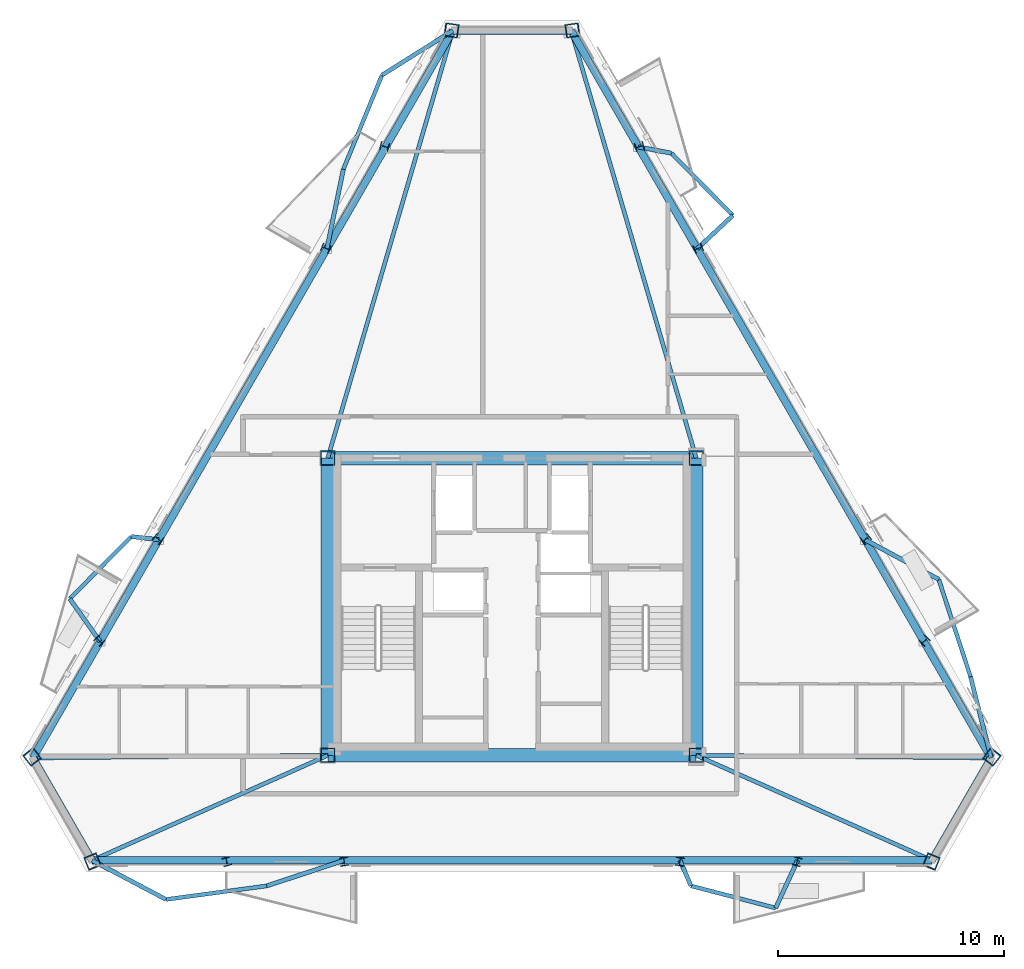
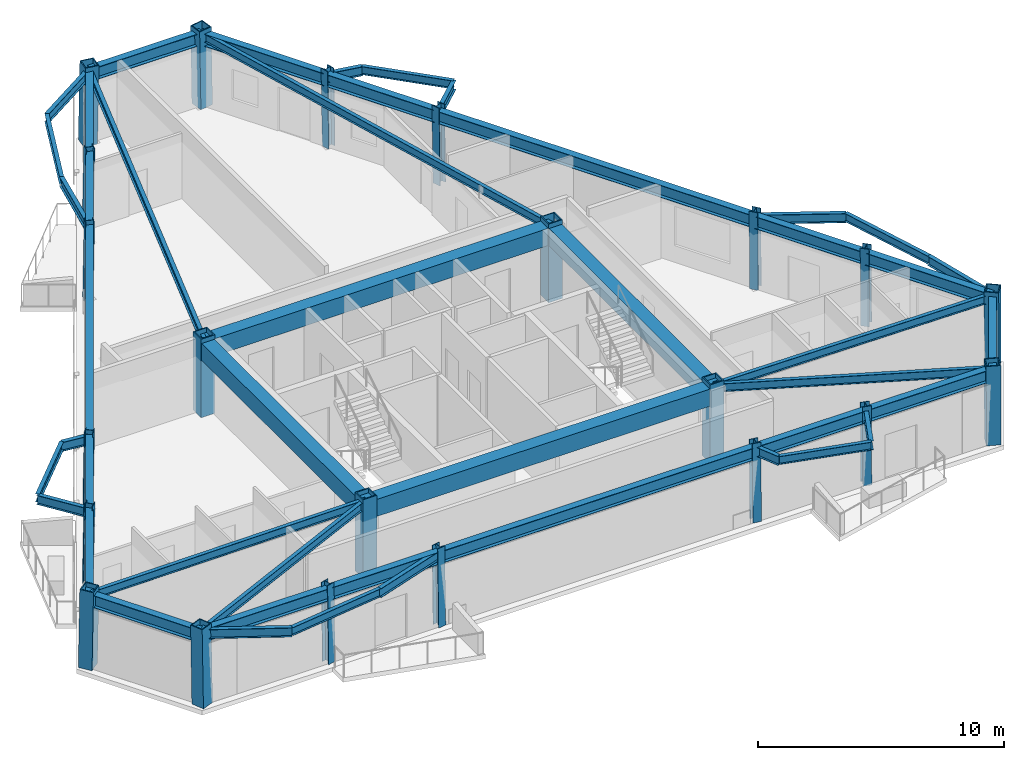
# One storey, part 1 of 9: 46 beams, 22 columns.
"""IFC4 building model written with IfcOpenShell, lengths in metres."""

from ifc_helpers import new_model, si_unit, direction, frame, origin, origin_2d, place, context, subcontext, project, spatial, rectangle, hollow_rectangle, i_section, extrude, material, material_profile, profile_set, type_object, element, save


model = new_model("IFC4")

# Units and contexts
model_context = context("Model", 3, precision=1e-05, world=origin(), true_north=direction((0.0, 1.0)))
body_context = subcontext(model_context, "Body", "Model", "MODEL_VIEW")
ifc_project = project(units=[si_unit("LENGTHUNIT", "METRE"), si_unit("AREAUNIT", "SQUARE_METRE"), si_unit("VOLUMEUNIT", "CUBIC_METRE"), si_unit("PLANEANGLEUNIT", "RADIAN"), si_unit("MASSUNIT", "GRAM", prefix="KILO")], contexts=[model_context])

# Site, building, storey
site_placement = place(None, origin())
site = spatial("IfcSite", under=ifc_project, at=site_placement, CompositionType="ELEMENT")
building_placement = place(site_placement, origin())
building = spatial("IfcBuilding", under=site, at=building_placement, Name="Oramaril Tower", CompositionType="ELEMENT")
storey_placement = place(building_placement, frame((0.0, 0.0, 253.800048828125)))
storey = spatial("IfcBuildingStorey", under=building, at=storey_placement, Name="L67", CompositionType="ELEMENT", Elevation=253.800048828125)

# Columns
ifc_material_1 = material(Name="Steel ASTM A572 Gr 50", Category="steel")
ifc_material_profile_1 = material_profile(ifc_material_1, hollow_rectangle(XDim=0.64990234375, YDim=0.64990234375, WallThickness=0.050048828125, at=origin_2d()), Name="BOX650X650X50")
ifc_profile_set_1 = profile_set([ifc_material_profile_1], Name="Steel ASTM A572 Gr 50")
column_type_1 = type_object("IfcColumnType", Name="CT-CC5", PredefinedType="COLUMN", material=ifc_profile_set_1)
for number, where, z_axis, x_axis, name in (
    (1, (29.35009765625, 11.0, 0.0), (0.0, 0.0, 1.0), (1.0, 0.0, 0.0), "L67 Core Column CC-1"),
    (2, (45.64990234375, 11.0, 0.0), (0.0, 0.0, 1.0), (1.0, 0.0, 0.0), "L67 Core Column CC-2"),
    (3, (45.64990234375, 24.14990234375, 0.0), (0.0, 0.0, 1.0), (1.0, 0.0, 0.0), "L67 Core Column CC-3"),
    (4, (29.35009765625, 24.14990234375, 0.0), (0.0, 0.0, 1.0), (1.0, 0.0, 0.0), "L67 Core Column CC-4"),
):
    element("IfcColumn", number, at=place(storey_placement, frame(where, z_axis=z_axis, x_axis=x_axis)), inside=storey, type_object=column_type_1, Name=name, PredefinedType="COLUMN", context=body_context, shape_type="SweptSolid", body=[
        extrude(hollow_rectangle(XDim=0.64990234375, YDim=0.64990234375, WallThickness=0.050048828125, at=origin_2d()), origin(), (0.0, 0.0, 1.0), 3.89990234375),
    ])
ifc_material_2 = material(Name="Steel ASTM A572 Gr 50", Category="steel")
ifc_material_profile_2 = material_profile(ifc_material_2, hollow_rectangle(XDim=0.60009765625, YDim=0.60009765625, WallThickness=0.044921875, at=origin_2d()), Name="BOX600X600X45")
ifc_profile_set_2 = profile_set([ifc_material_profile_2], Name="Steel ASTM A572 Gr 50")
column_type_2 = type_object("IfcColumnType", Name="CT-TC5", PredefinedType="COLUMN", material=ifc_profile_set_2)
for number, where, z_axis, x_axis, name in (
    (5, (16.2666015625, 10.93798828125, 0.00439453125), (0.010476592059, -0.013362359932, 0.999855833786), (0.786958941949, 0.617005367632, 0.0), "L67 Tube Column TC-01"),
    (6, (18.948974609375, 6.292236328125, 0.00439453125), (-0.006336143201, 0.015746256866, 0.999855943966), (-0.9277100215, -0.373301642118, 0.0), "L67 Tube Column TC-02"),
    (7, (56.051025390625, 6.292236328125, 0.00439453125), (0.006336143201, 0.015746256866, 0.999855943966), (-0.9277100215, 0.373301642118, 0.0), "L67 Tube Column TC-03"),
    (8, (58.7333984375, 10.93798828125, 0.00439453125), (-0.010476592059, -0.013362359932, 0.999855833786), (0.786958941949, -0.617005367632, 0.0), "L67 Tube Column TC-04"),
    (9, (40.18212890625, 43.069580078125, 0.00439453125), (-0.016812734232, -0.002383895152, 0.999855814111), (0.140386849611, -0.990096728838, 0.0), "L67 Tube Column TC-05"),
    (10, (34.81787109375, 43.069580078125, 0.00439453125), (0.016812734232, -0.002383895152, 0.999855814111), (0.140386849611, 0.990096728838, 0.0), "L67 Tube Column TC-06"),
):
    element("IfcColumn", number, at=place(storey_placement, frame(where, z_axis=z_axis, x_axis=x_axis)), inside=storey, type_object=column_type_2, Name=name, PredefinedType="COLUMN", context=body_context, shape_type="SweptSolid", body=[
        extrude(hollow_rectangle(XDim=0.60009765625, YDim=0.60009765625, WallThickness=0.044921875, at=origin_2d()), origin(), (0.0, 0.0, 1.0), 3.8916015625),
    ])
ifc_material_3 = material(Name="Steel ASTM A572 Gr 50", Category="steel")
ifc_material_profile_3 = material_profile(ifc_material_3, i_section(OverallWidth=0.373046875, OverallDepth=0.373046875, WebThickness=0.016357421875, FlangeThickness=0.026123046875, at=origin_2d()), Name="W14X132")
ifc_profile_set_3 = profile_set([ifc_material_profile_3], Name="Steel ASTM A572 Gr 50")
column_type_3 = type_object("IfcColumnType", Name="CT-TF5", PredefinedType="COLUMN", material=ifc_profile_set_3)
for number, where, z_axis, x_axis, name in (
    (11, (24.88525390625, 6.292236328125, 0.00439453125), (-0.004328698624, 0.015746425429, 0.999866647336), (-0.964229942469, -0.26506719534, 0.0), "L67 Tube Column TC-07"),
    (12, (30.07958984375, 6.292236328125, 0.00439453125), (-0.002572140859, 0.015746520867, 0.999872707484), (-0.98692011678, -0.161210058916, 0.0), "L67 Tube Column TC-08"),
    (13, (44.92041015625, 6.292236328125, 0.00439453125), (0.002572140859, 0.015746520867, 0.999872707484), (-0.98692011678, 0.161210058916, 0.0), "L67 Tube Column TC-09"),
    (14, (50.11474609375, 6.292236328125, 0.00439453125), (0.004328698624, 0.015746425429, 0.999866647336), (-0.964229942469, 0.26506719534, 0.0), "L67 Tube Column TC-10"),
    (15, (55.76513671875, 16.0791015625, 0.00439453125), (-0.011480462652, -0.011605932189, 0.999866741779), (0.710939253444, -0.703253423677, 0.0), "L67 Tube Column TC-11"),
    (16, (53.16796875, 20.57763671875, 0.00439453125), (-0.012358821983, -0.010100357052, 0.99987261304), (0.632809619736, -0.774307422907, 0.0), "L67 Tube Column TC-12"),
    (17, (45.74755859375, 33.43017578125, 0.00439453125), (-0.01493095687, -0.005708895274, 0.999872229358), (0.357137466267, -0.934051834851, 0.0), "L67 Tube Column TC-13"),
    (18, (43.150390625, 37.9287109375, 0.00439453125), (-0.015809153005, -0.004203227188, 0.999866192829), (0.256946496792, -0.966425629724, 0.0), "L67 Tube Column TC-14"),
    (19, (31.849609375, 37.9287109375, 0.00439453125), (0.015809153005, -0.004203227188, 0.999866192829), (0.256946496792, 0.966425629724, 0.0), "L67 Tube Column TC-15"),
    (20, (29.25244140625, 33.43017578125, 0.00439453125), (0.01493095687, -0.005708895274, 0.999872229358), (0.357137466267, 0.934051834851, 0.0), "L67 Tube Column TC-16"),
    (21, (21.83203125, 20.57763671875, 0.00439453125), (0.012358821983, -0.010100357052, 0.99987261304), (0.632809619736, 0.774307422907, 0.0), "L67 Tube Column TC-17"),
    (22, (19.23486328125, 16.0791015625, 0.00439453125), (0.011480462652, -0.011605932189, 0.999866741779), (0.710939253444, 0.703253423677, 0.0), "L67 Tube Column TC-18"),
):
    element("IfcColumn", number, at=place(storey_placement, frame(where, z_axis=z_axis, x_axis=x_axis)), inside=storey, type_object=column_type_3, Name=name, PredefinedType="COLUMN", context=body_context, shape_type="SweptSolid", body=[
        extrude(i_section(OverallWidth=0.373046875, OverallDepth=0.373046875, WebThickness=0.016357421875, FlangeThickness=0.026123046875, at=origin_2d()), origin(), (0.0, 0.0, 1.0), 3.8916015625),
    ])

# Beams
ifc_material_4 = material(Name="Steel ASTM A572 Gr 50", Category="steel")
ifc_material_profile_4 = material_profile(ifc_material_4, i_section(OverallWidth=0.19091796875, OverallDepth=0.45703125, WebThickness=0.009033203125, FlangeThickness=0.014404296875, at=origin_2d()), Name="W18X50")
ifc_profile_set_4 = profile_set([ifc_material_profile_4], Name="Steel ASTM A572 Gr 50")
beam_type_1 = type_object("IfcBeamType", Name="BT-BB1", PredefinedType="BEAM", material=ifc_profile_set_4)
beam_1_placement = place(storey_placement, frame((18.92431640625, 6.353515625, 3.451416015625), z_axis=(0.884062224735, -0.467369214644, 0.0), x_axis=(0.467369214644, 0.884062224735, 0.0)))
element("IfcBeam", 23, at=beam_1_placement, inside=storey, type_object=beam_type_1, Name="L67 Balcony Column-Framed Cantilever 01.1", PredefinedType="BEAM", context=body_context, shape_type="SweptSolid", body=[
    extrude(i_section(OverallWidth=0.19091796875, OverallDepth=0.45703125, WebThickness=0.009033203125, FlangeThickness=0.014404296875, at=origin_2d()), origin(), (0.0, 0.0, 1.0), 3.699951171875),
])
beam_2_placement = place(storey_placement, frame((30.069580078125, 6.353515625, 3.451416015625), z_axis=(-0.949515220138, -0.313720969537, 0.0), x_axis=(0.313720969537, -0.949515220138, 0.0)))
element("IfcBeam", 24, at=beam_2_placement, inside=storey, type_object=beam_type_1, Name="L67 Balcony Column-Framed Cantilever 01.2", PredefinedType="BEAM", context=body_context, shape_type="SweptSolid", body=[
    extrude(i_section(OverallWidth=0.19091796875, OverallDepth=0.45703125, WebThickness=0.009033203125, FlangeThickness=0.014404296875, at=origin_2d()), origin(), (0.0, 0.0, 1.0), 3.59521484375),
])
beam_3_placement = place(storey_placement, frame((44.930419921875, 6.353515625, 3.451416015625), z_axis=(0.397607437634, -0.91755562531, 0.0), x_axis=(0.91755562531, 0.397607437634, 0.0)))
element("IfcBeam", 25, at=beam_3_placement, inside=storey, type_object=beam_type_1, Name="L67 Balcony Column-Framed Cantilever 02.1", PredefinedType="BEAM", context=body_context, shape_type="SweptSolid", body=[
    extrude(i_section(OverallWidth=0.19091796875, OverallDepth=0.45703125, WebThickness=0.009033203125, FlangeThickness=0.014404296875, at=origin_2d()), origin(), (0.0, 0.0, 1.0), 1.229248046875),
])
beam_4_placement = place(storey_placement, frame((50.131591796875, 6.353515625, 3.451416015625), z_axis=(-0.417415615447, -0.908715689301, 0.0), x_axis=(0.908715689301, -0.417415615447, 0.0)))
element("IfcBeam", 26, at=beam_4_placement, inside=storey, type_object=beam_type_1, Name="L67 Balcony Column-Framed Cantilever 02.2", PredefinedType="BEAM", context=body_context, shape_type="SweptSolid", body=[
    extrude(i_section(OverallWidth=0.19091796875, OverallDepth=0.45703125, WebThickness=0.009033203125, FlangeThickness=0.014404296875, at=origin_2d()), origin(), (0.0, 0.0, 1.0), 2.319580078125),
])
for number, where, z_axis, x_axis, name in (
    (27, (58.692626953125, 10.885986328125, 3.451416015625), (-0.245329243552, 0.969439818791, 0.0), (-0.969439818791, -0.245329243552, 0.0), "L67 Balcony Column-Framed Cantilever 03.1"),
    (28, (53.119873046875, 20.538330078125, 3.451416015625), (0.88043507816, -0.474166714506, 0.0), (0.474166714506, 0.88043507816, 0.0), "L67 Balcony Column-Framed Cantilever 03.2"),
):
    element("IfcBeam", number, at=place(storey_placement, frame(where, z_axis=z_axis, x_axis=x_axis)), inside=storey, type_object=beam_type_1, Name=name, PredefinedType="BEAM", context=body_context, shape_type="SweptSolid", body=[
        extrude(i_section(OverallWidth=0.19091796875, OverallDepth=0.45703125, WebThickness=0.009033203125, FlangeThickness=0.014404296875, at=origin_2d()), origin(), (0.0, 0.0, 1.0), 3.699951171875),
    ])
beam_5_placement = place(storey_placement, frame((45.689453125, 33.407958984375, 3.451416015625), z_axis=(0.730619919828, 0.682784396973, 0.0), x_axis=(-0.682784396973, 0.730619919828, 0.0)))
element("IfcBeam", 29, at=beam_5_placement, inside=storey, type_object=beam_type_1, Name="L67 Balcony Column-Framed Cantilever 04.1", PredefinedType="BEAM", context=body_context, shape_type="SweptSolid", body=[
    extrude(i_section(OverallWidth=0.19091796875, OverallDepth=0.45703125, WebThickness=0.009033203125, FlangeThickness=0.014404296875, at=origin_2d()), origin(), (0.0, 0.0, 1.0), 2.1640625),
])
beam_6_placement = place(storey_placement, frame((43.0888671875, 37.912353515625, 3.451416015625), z_axis=(0.982812637417, -0.184605849675, 0.0), x_axis=(0.184605849675, 0.982812637417, 0.0)))
element("IfcBeam", 30, at=beam_6_placement, inside=storey, type_object=beam_type_1, Name="L67 Balcony Column-Framed Cantilever 04.2", PredefinedType="BEAM", context=body_context, shape_type="SweptSolid", body=[
    extrude(i_section(OverallWidth=0.19091796875, OverallDepth=0.45703125, WebThickness=0.009033203125, FlangeThickness=0.014404296875, at=origin_2d()), origin(), (0.0, 0.0, 1.0), 1.486572265625),
])
beam_7_placement = place(storey_placement, frame((34.88330078125, 43.060302734375, 3.451416015625), z_axis=(-0.846817420865, -0.53188368627, 0.0), x_axis=(0.53188368627, -0.846817420865, 0.0)))
element("IfcBeam", 31, at=beam_7_placement, inside=storey, type_object=beam_type_1, Name="L67 Balcony Column-Framed Cantilever 05.1", PredefinedType="BEAM", context=body_context, shape_type="SweptSolid", body=[
    extrude(i_section(OverallWidth=0.19091796875, OverallDepth=0.45703125, WebThickness=0.009033203125, FlangeThickness=0.014404296875, at=origin_2d()), origin(), (0.0, 0.0, 1.0), 3.7001953125),
])
beam_8_placement = place(storey_placement, frame((29.310546875, 33.407958984375, 3.451416015625), z_axis=(0.203018710652, 0.979174858299, 0.0), x_axis=(-0.979174858299, 0.203018710652, 0.0)))
element("IfcBeam", 32, at=beam_8_placement, inside=storey, type_object=beam_type_1, Name="L67 Balcony Column-Framed Cantilever 05.2", PredefinedType="BEAM", context=body_context, shape_type="SweptSolid", body=[
    extrude(i_section(OverallWidth=0.19091796875, OverallDepth=0.45703125, WebThickness=0.009033203125, FlangeThickness=0.014404296875, at=origin_2d()), origin(), (0.0, 0.0, 1.0), 3.595703125),
])
beam_9_placement = place(storey_placement, frame((21.880126953125, 20.538330078125, 3.451416015625), z_axis=(-0.993460146416, 0.114179409192, 0.0), x_axis=(-0.114179409192, -0.993460146416, 0.0)))
element("IfcBeam", 33, at=beam_9_placement, inside=storey, type_object=beam_type_1, Name="L67 Balcony Column-Framed Cantilever 06.1", PredefinedType="BEAM", context=body_context, shape_type="SweptSolid", body=[
    extrude(i_section(OverallWidth=0.19091796875, OverallDepth=0.45703125, WebThickness=0.009033203125, FlangeThickness=0.014404296875, at=origin_2d()), origin(), (0.0, 0.0, 1.0), 1.2294921875),
])
beam_10_placement = place(storey_placement, frame((19.279541015625, 16.033935546875, 3.451416015625), z_axis=(-0.578297624091, 0.815825874786, 0.0), x_axis=(-0.815825874786, -0.578297624091, 0.0)))
element("IfcBeam", 34, at=beam_10_placement, inside=storey, type_object=beam_type_1, Name="L67 Balcony Column-Framed Cantilever 06.2", PredefinedType="BEAM", context=body_context, shape_type="SweptSolid", body=[
    extrude(i_section(OverallWidth=0.19091796875, OverallDepth=0.45703125, WebThickness=0.009033203125, FlangeThickness=0.014404296875, at=origin_2d()), origin(), (0.0, 0.0, 1.0), 2.31982421875),
])
ifc_material_5 = material(Name="Concrete C50/60", Category="concrete")
ifc_material_profile_5 = material_profile(ifc_material_5, rectangle(XDim=0.60009765625, YDim=0.85009765625, at=origin_2d()), Name="CB600X850")
ifc_profile_set_5 = profile_set([ifc_material_profile_5], Name="Concrete C50/60")
beam_type_2 = type_object("IfcBeamType", Name="BT-CB2", PredefinedType="BEAM", material=ifc_profile_set_5)
beam_11_placement = place(storey_placement, frame((29.35009765625, 11.0, 3.2548828125), z_axis=(1.0, 0.0, 0.0), x_axis=(0.0, 1.0, 0.0)))
element("IfcBeam", 35, at=beam_11_placement, inside=storey, type_object=beam_type_2, Name="L67 Core Header Beam CB-1", PredefinedType="BEAM", context=body_context, shape_type="SweptSolid", body=[
    extrude(rectangle(XDim=0.60009765625, YDim=0.85009765625, at=origin_2d()), origin(), (0.0, 0.0, 1.0), 16.2998046875),
])
beam_12_placement = place(storey_placement, frame((45.64990234375, 11.0, 3.2548828125), z_axis=(0.0, 1.0, 0.0), x_axis=(-1.0, 0.0, 0.0)))
element("IfcBeam", 36, at=beam_12_placement, inside=storey, type_object=beam_type_2, Name="L67 Core Header Beam CB-2", PredefinedType="BEAM", context=body_context, shape_type="SweptSolid", body=[
    extrude(rectangle(XDim=0.60009765625, YDim=0.85009765625, at=origin_2d()), origin(), (0.0, 0.0, 1.0), 13.14990234375),
])
beam_13_placement = place(storey_placement, frame((45.64990234375, 24.14990234375, 3.2548828125), z_axis=(-1.0, 0.0, 0.0), x_axis=(0.0, -1.0, 0.0)))
element("IfcBeam", 37, at=beam_13_placement, inside=storey, type_object=beam_type_2, Name="L67 Core Header Beam CB-3", PredefinedType="BEAM", context=body_context, shape_type="SweptSolid", body=[
    extrude(rectangle(XDim=0.60009765625, YDim=0.85009765625, at=origin_2d()), origin(), (0.0, 0.0, 1.0), 16.2998046875),
])
beam_14_placement = place(storey_placement, frame((29.35009765625, 24.14990234375, 3.2548828125), z_axis=(0.0, -1.0, 0.0), x_axis=(1.0, 0.0, 0.0)))
element("IfcBeam", 38, at=beam_14_placement, inside=storey, type_object=beam_type_2, Name="L67 Core Header Beam CB-4", PredefinedType="BEAM", context=body_context, shape_type="SweptSolid", body=[
    extrude(rectangle(XDim=0.60009765625, YDim=0.85009765625, at=origin_2d()), origin(), (0.0, 0.0, 1.0), 13.14990234375),
])
ifc_material_6 = material(Name="Steel ASTM A572 Gr 50", Category="steel")
ifc_material_profile_6 = material_profile(ifc_material_6, i_section(OverallWidth=0.177978515625, OverallDepth=0.404052734375, WebThickness=0.007568359375, FlangeThickness=0.010986328125, at=origin_2d()), Name="W16X36")
ifc_profile_set_6 = profile_set([ifc_material_profile_6], Name="Steel ASTM A572 Gr 50")
beam_type_3 = type_object("IfcBeamType", Name="BT-SB1", PredefinedType="BEAM", material=ifc_profile_set_6)
beam_15_placement = place(storey_placement, frame((29.35009765625, 11.0, 3.47802734375), z_axis=(-0.999961794813, -0.008741219291, 0.0), x_axis=(0.008741219291, -0.999961794813, 0.0)))
element("IfcBeam", 39, at=beam_15_placement, inside=storey, type_object=beam_type_3, Name="L67 Radial Primary Beam RB-01", PredefinedType="BEAM", context=body_context, shape_type="SweptSolid", body=[
    extrude(i_section(OverallWidth=0.177978515625, OverallDepth=0.404052734375, WebThickness=0.007568359375, FlangeThickness=0.010986328125, at=origin_2d()), origin(), (0.0, 0.0, 1.0), 13.043212890625),
])
for number, where, z_axis, x_axis, name in (
    (40, (29.35009765625, 11.0, 3.47802734375), (-0.913394755304, -0.40707495745, 0.0), (0.40707495745, -0.913394755304, 0.0), "L67 Radial Primary Beam RB-02"),
    (41, (45.64990234375, 11.0, 3.47802734375), (0.913394755304, -0.40707495745, 0.0), (0.40707495745, 0.913394755304, 0.0), "L67 Radial Primary Beam RB-03"),
):
    element("IfcBeam", number, at=place(storey_placement, frame(where, z_axis=z_axis, x_axis=x_axis)), inside=storey, type_object=beam_type_3, Name=name, PredefinedType="BEAM", context=body_context, shape_type="SweptSolid", body=[
        extrude(i_section(OverallWidth=0.177978515625, OverallDepth=0.404052734375, WebThickness=0.007568359375, FlangeThickness=0.010986328125, at=origin_2d()), origin(), (0.0, 0.0, 1.0), 11.414306640625),
    ])
beam_16_placement = place(storey_placement, frame((45.64990234375, 11.0, 3.47802734375), z_axis=(0.999961794813, -0.008741219291, 0.0), x_axis=(0.008741219291, 0.999961794813, 0.0)))
element("IfcBeam", 42, at=beam_16_placement, inside=storey, type_object=beam_type_3, Name="L67 Radial Primary Beam RB-04", PredefinedType="BEAM", context=body_context, shape_type="SweptSolid", body=[
    extrude(i_section(OverallWidth=0.177978515625, OverallDepth=0.404052734375, WebThickness=0.007568359375, FlangeThickness=0.010986328125, at=origin_2d()), origin(), (0.0, 0.0, 1.0), 13.043212890625),
])
for number, where, z_axis, x_axis, name in (
    (43, (45.64990234375, 24.14990234375, 3.47802734375), (-0.28082637629, 0.959758587552, 0.0), (-0.959758587552, -0.28082637629, 0.0), "L67 Radial Primary Beam RB-05"),
    (44, (29.35009765625, 24.14990234375, 3.47802734375), (0.28082637629, 0.959758587552, 0.0), (-0.959758587552, 0.28082637629, 0.0), "L67 Radial Primary Beam RB-06"),
):
    element("IfcBeam", number, at=place(storey_placement, frame(where, z_axis=z_axis, x_axis=x_axis)), inside=storey, type_object=beam_type_3, Name=name, PredefinedType="BEAM", context=body_context, shape_type="SweptSolid", body=[
        extrude(i_section(OverallWidth=0.177978515625, OverallDepth=0.404052734375, WebThickness=0.007568359375, FlangeThickness=0.010986328125, at=origin_2d()), origin(), (0.0, 0.0, 1.0), 19.703369140625),
    ])
beam_17_placement = place(storey_placement, frame((22.1953125, 4.624267578125, 3.47802734375), z_axis=(0.991034989293, 0.1336025823, 0.0), x_axis=(-0.1336025823, 0.991034989293, 0.0)))
element("IfcBeam", 45, at=beam_17_placement, inside=storey, type_object=beam_type_3, Name="L67 Balcony Edge Tie Beam 01", PredefinedType="BEAM", context=body_context, shape_type="SweptSolid", body=[
    extrude(i_section(OverallWidth=0.177978515625, OverallDepth=0.404052734375, WebThickness=0.007568359375, FlangeThickness=0.010986328125, at=origin_2d()), origin(), (0.0, 0.0, 1.0), 4.500732421875),
])
beam_18_placement = place(storey_placement, frame((45.419189453125, 5.2255859375, 3.47802734375), z_axis=(0.967411967632, -0.253207592467, 0.0), x_axis=(0.253207592467, 0.967411967632, 0.0)))
element("IfcBeam", 46, at=beam_18_placement, inside=storey, type_object=beam_type_3, Name="L67 Balcony Edge Tie Beam 02", PredefinedType="BEAM", context=body_context, shape_type="SweptSolid", body=[
    extrude(i_section(OverallWidth=0.177978515625, OverallDepth=0.404052734375, WebThickness=0.007568359375, FlangeThickness=0.010986328125, at=origin_2d()), origin(), (0.0, 0.0, 1.0), 3.870361328125),
])
beam_19_placement = place(storey_placement, frame((57.784912109375, 14.472900390625, 3.47802734375), z_axis=(-0.31035909022, 0.950619395509, 0.0), x_axis=(-0.950619395509, -0.31035909022, 0.0)))
element("IfcBeam", 47, at=beam_19_placement, inside=storey, type_object=beam_type_3, Name="L67 Balcony Edge Tie Beam 03", PredefinedType="BEAM", context=body_context, shape_type="SweptSolid", body=[
    extrude(i_section(OverallWidth=0.177978515625, OverallDepth=0.404052734375, WebThickness=0.007568359375, FlangeThickness=0.010986328125, at=origin_2d()), origin(), (0.0, 0.0, 1.0), 4.534912109375),
])
beam_20_placement = place(storey_placement, frame((47.2705078125, 34.885498046875, 3.47802734375), z_axis=(-0.702994511648, 0.71119527318, 0.0), x_axis=(-0.71119527318, -0.702994511648, 0.0)))
element("IfcBeam", 48, at=beam_20_placement, inside=storey, type_object=beam_type_3, Name="L67 Balcony Edge Tie Beam 04", PredefinedType="BEAM", context=body_context, shape_type="SweptSolid", body=[
    extrude(i_section(OverallWidth=0.177978515625, OverallDepth=0.404052734375, WebThickness=0.007568359375, FlangeThickness=0.010986328125, at=origin_2d()), origin(), (0.0, 0.0, 1.0), 3.8701171875),
])
beam_21_placement = place(storey_placement, frame((31.75, 41.09228515625, 3.47802734375), z_axis=(-0.379811104954, -0.925064065108, 0.0), x_axis=(0.925064065108, -0.379811104954, 0.0)))
element("IfcBeam", 49, at=beam_21_placement, inside=storey, type_object=beam_type_3, Name="L67 Balcony Edge Tie Beam 05", PredefinedType="BEAM", context=body_context, shape_type="SweptSolid", body=[
    extrude(i_section(OverallWidth=0.177978515625, OverallDepth=0.404052734375, WebThickness=0.007568359375, FlangeThickness=0.010986328125, at=origin_2d()), origin(), (0.0, 0.0, 1.0), 4.500732421875),
])
beam_22_placement = place(storey_placement, frame((20.65869140625, 20.6787109375, 3.47802734375), z_axis=(-0.703026051641, -0.71116409549, 0.0), x_axis=(0.71116409549, -0.703026051641, 0.0)))
element("IfcBeam", 50, at=beam_22_placement, inside=storey, type_object=beam_type_3, Name="L67 Balcony Edge Tie Beam 06", PredefinedType="BEAM", context=body_context, shape_type="SweptSolid", body=[
    extrude(i_section(OverallWidth=0.177978515625, OverallDepth=0.404052734375, WebThickness=0.007568359375, FlangeThickness=0.010986328125, at=origin_2d()), origin(), (0.0, 0.0, 1.0), 3.869873046875),
])
ifc_material_7 = material(Name="Steel ASTM A572 Gr 50", Category="steel")
ifc_material_profile_7 = material_profile(ifc_material_7, i_section(OverallWidth=0.324951171875, OverallDepth=0.612060546875, WebThickness=0.0126953125, FlangeThickness=0.01904296875, at=origin_2d()), Name="W24X104")
ifc_profile_set_7 = profile_set([ifc_material_profile_7], Name="Steel ASTM A572 Gr 50")
beam_type_4 = type_object("IfcBeamType", Name="BT-SP5", PredefinedType="SPANDREL", material=ifc_profile_set_7)
beam_23_placement = place(storey_placement, frame((16.307373046875, 10.885986328125, 3.3740234375), z_axis=(0.500017221754, -0.866015460572, 0.0), x_axis=(0.866015460572, 0.500017221754, 0.0)))
element("IfcBeam", 51, at=beam_23_placement, inside=storey, type_object=beam_type_4, Name="L67 Perimeter Spandrel 01", PredefinedType="SPANDREL", context=body_context, shape_type="SweptSolid", body=[
    extrude(i_section(OverallWidth=0.324951171875, OverallDepth=0.612060546875, WebThickness=0.0126953125, FlangeThickness=0.01904296875, at=origin_2d()), origin(), (0.0, 0.0, 1.0), 5.233642578125),
])
beam_24_placement = place(storey_placement, frame((18.92431640625, 6.353515625, 3.3740234375), z_axis=(1.0, 0.0, 0.0), x_axis=(0.0, 1.0, 0.0)))
element("IfcBeam", 52, at=beam_24_placement, inside=storey, type_object=beam_type_4, Name="L67 Perimeter Spandrel 02", PredefinedType="SPANDREL", context=body_context, shape_type="SweptSolid", body=[
    extrude(i_section(OverallWidth=0.324951171875, OverallDepth=0.612060546875, WebThickness=0.0126953125, FlangeThickness=0.01904296875, at=origin_2d()), origin(), (0.0, 0.0, 1.0), 5.944091796875),
])
beam_25_placement = place(storey_placement, frame((24.868408203125, 6.353515625, 3.3740234375), z_axis=(1.0, 0.0, 0.0), x_axis=(0.0, 1.0, 0.0)))
element("IfcBeam", 53, at=beam_25_placement, inside=storey, type_object=beam_type_4, Name="L67 Perimeter Spandrel 03", PredefinedType="SPANDREL", context=body_context, shape_type="SweptSolid", body=[
    extrude(i_section(OverallWidth=0.324951171875, OverallDepth=0.612060546875, WebThickness=0.0126953125, FlangeThickness=0.01904296875, at=origin_2d()), origin(), (0.0, 0.0, 1.0), 5.201171875),
])
beam_26_placement = place(storey_placement, frame((30.069580078125, 6.353515625, 3.3740234375), z_axis=(1.0, 0.0, 0.0), x_axis=(0.0, 1.0, 0.0)))
element("IfcBeam", 54, at=beam_26_placement, inside=storey, type_object=beam_type_4, Name="L67 Perimeter Spandrel 04", PredefinedType="SPANDREL", context=body_context, shape_type="SweptSolid", body=[
    extrude(i_section(OverallWidth=0.324951171875, OverallDepth=0.612060546875, WebThickness=0.0126953125, FlangeThickness=0.01904296875, at=origin_2d()), origin(), (0.0, 0.0, 1.0), 14.86083984375),
])
beam_27_placement = place(storey_placement, frame((44.930419921875, 6.353515625, 3.3740234375), z_axis=(1.0, 0.0, 0.0), x_axis=(0.0, 1.0, 0.0)))
element("IfcBeam", 55, at=beam_27_placement, inside=storey, type_object=beam_type_4, Name="L67 Perimeter Spandrel 05", PredefinedType="SPANDREL", context=body_context, shape_type="SweptSolid", body=[
    extrude(i_section(OverallWidth=0.324951171875, OverallDepth=0.612060546875, WebThickness=0.0126953125, FlangeThickness=0.01904296875, at=origin_2d()), origin(), (0.0, 0.0, 1.0), 5.201171875),
])
beam_28_placement = place(storey_placement, frame((50.131591796875, 6.353515625, 3.3740234375), z_axis=(1.0, 0.0, 0.0), x_axis=(0.0, 1.0, 0.0)))
element("IfcBeam", 56, at=beam_28_placement, inside=storey, type_object=beam_type_4, Name="L67 Perimeter Spandrel 06", PredefinedType="SPANDREL", context=body_context, shape_type="SweptSolid", body=[
    extrude(i_section(OverallWidth=0.324951171875, OverallDepth=0.612060546875, WebThickness=0.0126953125, FlangeThickness=0.01904296875, at=origin_2d()), origin(), (0.0, 0.0, 1.0), 5.944091796875),
])
beam_29_placement = place(storey_placement, frame((56.07568359375, 6.353515625, 3.3740234375), z_axis=(0.500017221754, 0.866015460572, 0.0), x_axis=(-0.866015460572, 0.500017221754, 0.0)))
element("IfcBeam", 57, at=beam_29_placement, inside=storey, type_object=beam_type_4, Name="L67 Perimeter Spandrel 07", PredefinedType="SPANDREL", context=body_context, shape_type="SweptSolid", body=[
    extrude(i_section(OverallWidth=0.324951171875, OverallDepth=0.612060546875, WebThickness=0.0126953125, FlangeThickness=0.01904296875, at=origin_2d()), origin(), (0.0, 0.0, 1.0), 5.233642578125),
])
beam_30_placement = place(storey_placement, frame((58.692626953125, 10.885986328125, 3.3740234375), z_axis=(-0.499999760469, 0.866025542078, 0.0), x_axis=(-0.866025542078, -0.499999760469, 0.0)))
element("IfcBeam", 58, at=beam_30_placement, inside=storey, type_object=beam_type_4, Name="L67 Perimeter Spandrel 08", PredefinedType="SPANDREL", context=body_context, shape_type="SweptSolid", body=[
    extrude(i_section(OverallWidth=0.324951171875, OverallDepth=0.612060546875, WebThickness=0.0126953125, FlangeThickness=0.01904296875, at=origin_2d()), origin(), (0.0, 0.0, 1.0), 5.9443359375),
])
beam_31_placement = place(storey_placement, frame((55.720458984375, 16.033935546875, 3.3740234375), z_axis=(-0.49999604068, 0.866027689687, 0.0), x_axis=(-0.866027689687, -0.49999604068, 0.0)))
element("IfcBeam", 59, at=beam_31_placement, inside=storey, type_object=beam_type_4, Name="L67 Perimeter Spandrel 09", PredefinedType="SPANDREL", context=body_context, shape_type="SweptSolid", body=[
    extrude(i_section(OverallWidth=0.324951171875, OverallDepth=0.612060546875, WebThickness=0.0126953125, FlangeThickness=0.01904296875, at=origin_2d()), origin(), (0.0, 0.0, 1.0), 5.201171875),
])
beam_32_placement = place(storey_placement, frame((53.119873046875, 20.538330078125, 3.3740234375), z_axis=(-0.500006874277, 0.866021434882, 0.0), x_axis=(-0.866021434882, -0.500006874277, 0.0)))
element("IfcBeam", 60, at=beam_32_placement, inside=storey, type_object=beam_type_4, Name="L67 Perimeter Spandrel 10", PredefinedType="SPANDREL", context=body_context, shape_type="SweptSolid", body=[
    extrude(i_section(OverallWidth=0.324951171875, OverallDepth=0.612060546875, WebThickness=0.0126953125, FlangeThickness=0.01904296875, at=origin_2d()), origin(), (0.0, 0.0, 1.0), 14.860595703125),
])
beam_33_placement = place(storey_placement, frame((45.689453125, 33.407958984375, 3.3740234375), z_axis=(-0.49999604068, 0.866027689687, 0.0), x_axis=(-0.866027689687, -0.49999604068, 0.0)))
element("IfcBeam", 61, at=beam_33_placement, inside=storey, type_object=beam_type_4, Name="L67 Perimeter Spandrel 11", PredefinedType="SPANDREL", context=body_context, shape_type="SweptSolid", body=[
    extrude(i_section(OverallWidth=0.324951171875, OverallDepth=0.612060546875, WebThickness=0.0126953125, FlangeThickness=0.01904296875, at=origin_2d()), origin(), (0.0, 0.0, 1.0), 5.201171875),
])
beam_34_placement = place(storey_placement, frame((43.0888671875, 37.912353515625, 3.3740234375), z_axis=(-0.499999760469, 0.866025542078, 0.0), x_axis=(-0.866025542078, -0.499999760469, 0.0)))
element("IfcBeam", 62, at=beam_34_placement, inside=storey, type_object=beam_type_4, Name="L67 Perimeter Spandrel 12", PredefinedType="SPANDREL", context=body_context, shape_type="SweptSolid", body=[
    extrude(i_section(OverallWidth=0.324951171875, OverallDepth=0.612060546875, WebThickness=0.0126953125, FlangeThickness=0.01904296875, at=origin_2d()), origin(), (0.0, 0.0, 1.0), 5.9443359375),
])
beam_35_placement = place(storey_placement, frame((40.11669921875, 43.060302734375, 3.3740234375), z_axis=(-1.0, 0.0, 0.0), x_axis=(0.0, -1.0, 0.0)))
element("IfcBeam", 63, at=beam_35_placement, inside=storey, type_object=beam_type_4, Name="L67 Perimeter Spandrel 13", PredefinedType="SPANDREL", context=body_context, shape_type="SweptSolid", body=[
    extrude(i_section(OverallWidth=0.324951171875, OverallDepth=0.612060546875, WebThickness=0.0126953125, FlangeThickness=0.01904296875, at=origin_2d()), origin(), (0.0, 0.0, 1.0), 5.2333984375),
])
beam_36_placement = place(storey_placement, frame((34.88330078125, 43.060302734375, 3.3740234375), z_axis=(-0.499999760469, -0.866025542078, 0.0), x_axis=(0.866025542078, -0.499999760469, 0.0)))
element("IfcBeam", 64, at=beam_36_placement, inside=storey, type_object=beam_type_4, Name="L67 Perimeter Spandrel 14", PredefinedType="SPANDREL", context=body_context, shape_type="SweptSolid", body=[
    extrude(i_section(OverallWidth=0.324951171875, OverallDepth=0.612060546875, WebThickness=0.0126953125, FlangeThickness=0.01904296875, at=origin_2d()), origin(), (0.0, 0.0, 1.0), 5.9443359375),
])
beam_37_placement = place(storey_placement, frame((31.9111328125, 37.912353515625, 3.3740234375), z_axis=(-0.49999604068, -0.866027689687, 0.0), x_axis=(0.866027689687, -0.49999604068, 0.0)))
element("IfcBeam", 65, at=beam_37_placement, inside=storey, type_object=beam_type_4, Name="L67 Perimeter Spandrel 15", PredefinedType="SPANDREL", context=body_context, shape_type="SweptSolid", body=[
    extrude(i_section(OverallWidth=0.324951171875, OverallDepth=0.612060546875, WebThickness=0.0126953125, FlangeThickness=0.01904296875, at=origin_2d()), origin(), (0.0, 0.0, 1.0), 5.201171875),
])
beam_38_placement = place(storey_placement, frame((29.310546875, 33.407958984375, 3.3740234375), z_axis=(-0.500006874277, -0.866021434882, 0.0), x_axis=(0.866021434882, -0.500006874277, 0.0)))
element("IfcBeam", 66, at=beam_38_placement, inside=storey, type_object=beam_type_4, Name="L67 Perimeter Spandrel 16", PredefinedType="SPANDREL", context=body_context, shape_type="SweptSolid", body=[
    extrude(i_section(OverallWidth=0.324951171875, OverallDepth=0.612060546875, WebThickness=0.0126953125, FlangeThickness=0.01904296875, at=origin_2d()), origin(), (0.0, 0.0, 1.0), 14.860595703125),
])
beam_39_placement = place(storey_placement, frame((21.880126953125, 20.538330078125, 3.3740234375), z_axis=(-0.49999604068, -0.866027689687, 0.0), x_axis=(0.866027689687, -0.49999604068, 0.0)))
element("IfcBeam", 67, at=beam_39_placement, inside=storey, type_object=beam_type_4, Name="L67 Perimeter Spandrel 17", PredefinedType="SPANDREL", context=body_context, shape_type="SweptSolid", body=[
    extrude(i_section(OverallWidth=0.324951171875, OverallDepth=0.612060546875, WebThickness=0.0126953125, FlangeThickness=0.01904296875, at=origin_2d()), origin(), (0.0, 0.0, 1.0), 5.201171875),
])
beam_40_placement = place(storey_placement, frame((19.279541015625, 16.033935546875, 3.3740234375), z_axis=(-0.499999760469, -0.866025542078, 0.0), x_axis=(0.866025542078, -0.499999760469, 0.0)))
element("IfcBeam", 68, at=beam_40_placement, inside=storey, type_object=beam_type_4, Name="L67 Perimeter Spandrel 18", PredefinedType="SPANDREL", context=body_context, shape_type="SweptSolid", body=[
    extrude(i_section(OverallWidth=0.324951171875, OverallDepth=0.612060546875, WebThickness=0.0126953125, FlangeThickness=0.01904296875, at=origin_2d()), origin(), (0.0, 0.0, 1.0), 5.9443359375),
])

save(model, "model.ifc")
